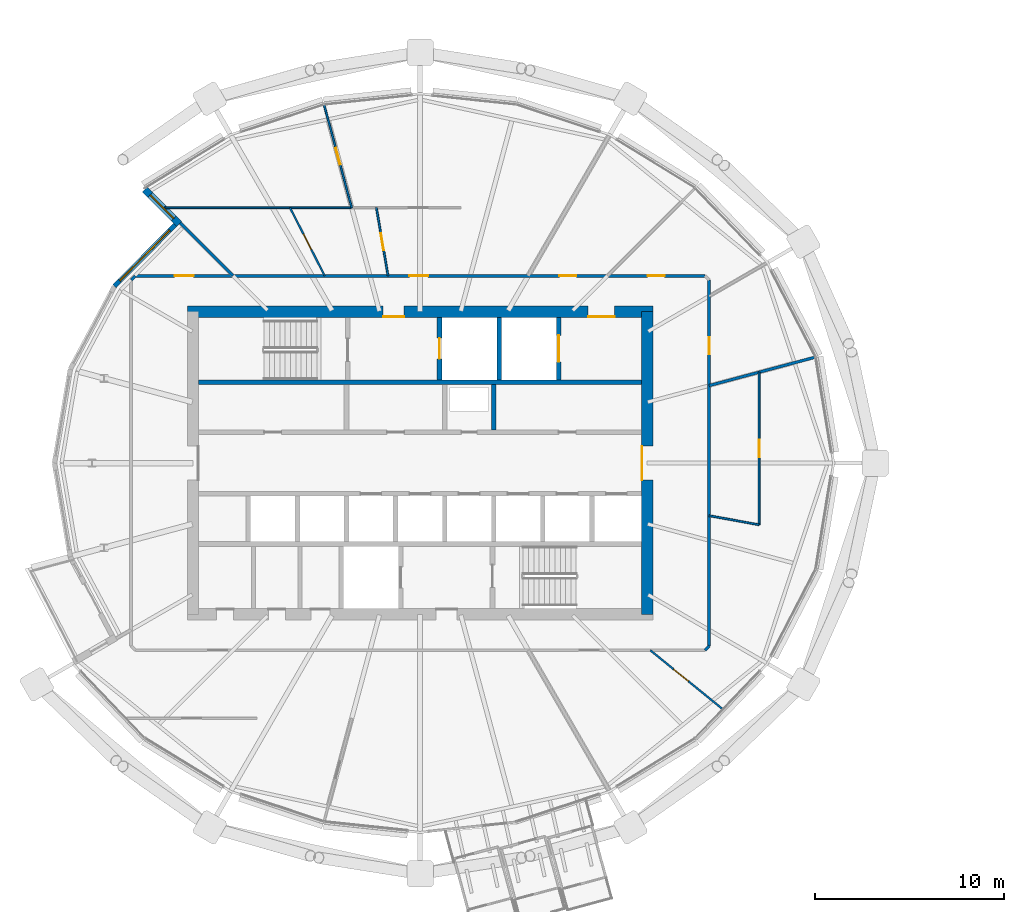
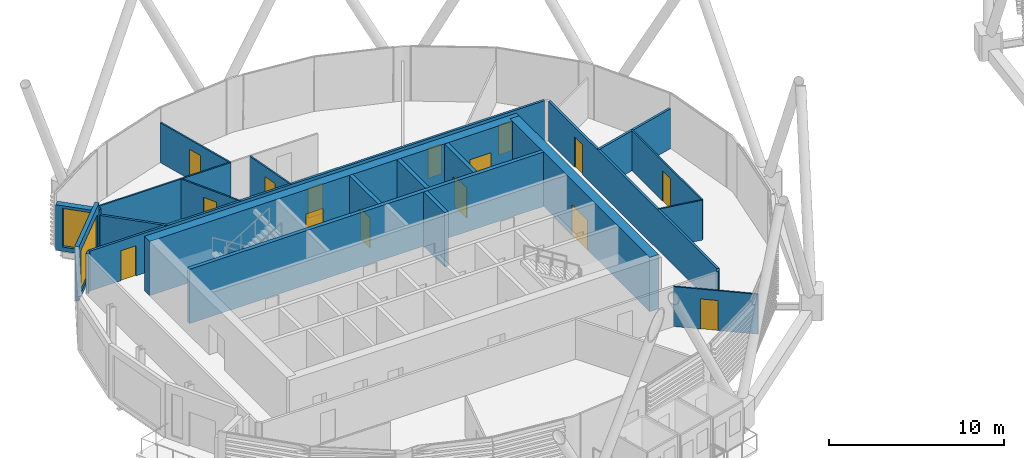
# One storey, part 24 of 35: 22 walls, 15 doors, 2 windows, 17 openings.
"""IFC4 building model written with IfcOpenShell, lengths in metres."""

from ifc_helpers import new_model, si_unit, direction, frame, frame_2d, origin, place, context, subcontext, project, spatial, rectangle, extrude, material, layer, layer_set, type_object, element, fill, save


model = new_model("IFC4")

# Units and contexts
model_context = context("Model", 3, precision=1e-05, world=origin(), true_north=direction((0.0, 1.0)))
body_context = subcontext(model_context, "Body", "Model", "MODEL_VIEW")
ifc_project = project(units=[si_unit("LENGTHUNIT", "METRE"), si_unit("AREAUNIT", "SQUARE_METRE"), si_unit("VOLUMEUNIT", "CUBIC_METRE"), si_unit("PLANEANGLEUNIT", "RADIAN"), si_unit("MASSUNIT", "GRAM", prefix="KILO")], contexts=[model_context])

# Site, building, storey
site_placement = place(None, origin())
site = spatial("IfcSite", under=ifc_project, at=site_placement, CompositionType="ELEMENT")
building_placement = place(site_placement, origin())
building = spatial("IfcBuilding", under=site, at=building_placement, Name="Rimbun Link Towers", CompositionType="ELEMENT")
storey_placement = place(building_placement, frame((0.0, 0.0, 181.699951171875)))
storey = spatial("IfcBuildingStorey", under=building, at=storey_placement, Name="L44", CompositionType="ELEMENT", Elevation=181.699951171875)

# Wall, opening, window
ifc_material_1 = material(Name="Dark enamelled glass spandrel on insulated aluminium backpan", Category="aluminium")
ifc_layer_1 = layer(ifc_material_1, 0.25)
ifc_layer_set_1 = layer_set([ifc_layer_1], Name="CS dark enamelled spandrel wall 250")
wall_type_1 = type_object("IfcWallType", Name="CS dark enamelled spandrel wall 250", PredefinedType="STANDARD", material=ifc_layer_set_1)
wall_1_placement = place(storey_placement, frame((-47.9072265625, 9.344482421875, 0.0), z_axis=(0.0, 0.0, 1.0), x_axis=(0.703167111014, 0.711024622631, 0.0)))
wall_1 = element("IfcWall", 1, at=wall_1_placement, inside=storey, type_object=wall_type_1, Name="Crease spandrel wall", PredefinedType="STANDARD", context=body_context, shape_type="SweptSolid", body=[
    extrude(rectangle(XDim=4.5673828125, YDim=0.25, at=frame_2d((2.28369140625, 0.0))), origin(), (0.0, 0.0, 1.0), 3.800048828125),
])
opening_1_placement = place(wall_1_placement, frame((0.40869140625, 0.0, 0.300048828125)))
opening_1 = element("IfcOpeningElement", 2, at=opening_1_placement, cuts=wall_1, Name="Opening WR38H295", PredefinedType="OPENING", context=body_context, shape_type="SweptSolid", body=[
    extrude(rectangle(XDim=3.75, YDim=2.949951171875, at=frame_2d((1.875, 1.47509765625))), frame((0.0, 0.135009765625, 0.0), z_axis=(0.0, -1.0, 0.0), x_axis=(1.0, 0.0, 0.0)), (0.0, 0.0, 1.0), 0.27001953125),
])
ifc_material_2 = material(Name="Aluminium framed fixed window, dark tinted low-e glass", Category="aluminium")
window_type_1 = type_object("IfcWindowType", Name="WR ribbon window 3750X2950", PartitioningType="SINGLE_PANEL", PredefinedType="WINDOW", material=ifc_material_2)
window_1_placement = place(opening_1_placement, origin())
window_1 = element("IfcWindow", 3, at=window_1_placement, inside=storey, type_object=window_type_1, Name="Crease ribbon window", OverallHeight=2.949951171875, OverallWidth=3.75, PartitioningType="SINGLE_PANEL", PredefinedType="WINDOW", context=body_context, shape_type="SweptSolid", body=[
    extrude(rectangle(XDim=3.75, YDim=2.949951171875, at=frame_2d((1.875, 1.47509765625))), frame((0.0, 0.030029296875, 0.0), z_axis=(0.0, -1.0, 0.0), x_axis=(1.0, 0.0, 0.0)), (0.0, 0.0, 1.0), 0.06005859375),
])
fill(opening_1, window_1)

ifc_material_3 = material(Name="Dark enamelled glass spandrel on insulated aluminium backpan", Category="aluminium")
ifc_layer_2 = layer(ifc_material_3, 0.3701171875)
ifc_layer_set_2 = layer_set([ifc_layer_2], Name="CS dark enamelled spandrel wall 370")
wall_type_2 = type_object("IfcWallType", Name="CS dark enamelled spandrel wall 370", PredefinedType="STANDARD", material=ifc_layer_set_2)
wall_2_placement = place(storey_placement, frame((-44.477294921875, 12.63525390625, 0.0), z_axis=(0.0, 0.0, 1.0), x_axis=(-0.707059465667, 0.70715409354, 0.0)))
wall_2 = element("IfcWall", 4, at=wall_2_placement, inside=storey, type_object=wall_type_2, Name="Crease spandrel wall", PredefinedType="STANDARD", context=body_context, shape_type="SweptSolid", body=[
    extrude(rectangle(XDim=2.580078125, YDim=0.3701171875, at=frame_2d((1.2900390625, 0.0))), origin(), (0.0, 0.0, 1.0), 3.186767578125),
])
opening_2_placement = place(wall_2_placement, frame((0.4150390625, 0.0, 0.300048828125)))
opening_2 = element("IfcOpeningElement", 5, at=opening_2_placement, cuts=wall_2, Name="Opening WR18H270", PredefinedType="OPENING", context=body_context, shape_type="SweptSolid", body=[
    extrude(rectangle(XDim=1.75, YDim=2.699951171875, at=frame_2d((0.875, 1.35009765625))), frame((0.0, 0.195068359375, 0.0), z_axis=(0.0, -1.0, 0.0), x_axis=(1.0, 0.0, 0.0)), (0.0, 0.0, 1.0), 0.39013671875),
])
ifc_material_4 = material(Name="Aluminium framed fixed window, dark tinted low-e glass", Category="aluminium")
window_type_2 = type_object("IfcWindowType", Name="WR ribbon window 1750X2700", PartitioningType="SINGLE_PANEL", PredefinedType="WINDOW", material=ifc_material_4)
window_2_placement = place(opening_2_placement, origin())
window_2 = element("IfcWindow", 6, at=window_2_placement, inside=storey, type_object=window_type_2, Name="Crease ribbon window", OverallHeight=2.699951171875, OverallWidth=1.75, PartitioningType="SINGLE_PANEL", PredefinedType="WINDOW", context=body_context, shape_type="SweptSolid", body=[
    extrude(rectangle(XDim=1.75, YDim=2.699951171875, at=frame_2d((0.875, 1.35009765625))), frame((0.0, 0.030029296875, 0.0), z_axis=(0.0, -1.0, 0.0), x_axis=(1.0, 0.0, 0.0)), (0.0, 0.0, 1.0), 0.06005859375),
])
fill(opening_2, window_2)

# Wall, openings, doors
ifc_material_5 = material(Name="Concrete C60/75", Category="concrete")
ifc_layer_3 = layer(ifc_material_5, 0.60009765625)
ifc_layer_set_3 = layer_set([ifc_layer_3], Name="Core shear wall 600")
wall_type_3 = type_object("IfcWallType", Name="Core shear wall 600", PredefinedType="SHEAR", material=ifc_layer_set_3)
wall_3_placement = place(storey_placement, frame((-44.050048828125, 8.0, 0.0), z_axis=(0.0, 0.0, 1.0), x_axis=(1.0, 0.0, 0.0)))
wall_3 = element("IfcWall", 7, at=wall_3_placement, inside=storey, type_object=wall_type_3, Name="L44 T1 core wall N", PredefinedType="SHEAR", context=body_context, shape_type="SweptSolid", body=[
    extrude(rectangle(XDim=24.60009765625, YDim=0.60009765625, at=frame_2d((12.300048828125, 0.0))), origin(), (0.0, 0.0, 1.0), 3.800048828125),
])
opening_3_placement = place(wall_3_placement, frame((10.35009765625, 0.0, 0.0)))
opening_3 = element("IfcOpeningElement", 8, at=opening_3_placement, cuts=wall_3, Name="Opening C1DCF01N", PredefinedType="OPENING", context=body_context, shape_type="SweptSolid", body=[
    extrude(rectangle(XDim=1.10009765625, YDim=2.10009765625, at=frame_2d((0.550048828125, 1.050048828125))), frame((0.0, 0.31005859375, 0.0), z_axis=(0.0, -1.0, 0.0), x_axis=(1.0, 0.0, 0.0)), (0.0, 0.0, 1.0), 0.6201171875),
])
opening_4_placement = place(wall_3_placement, frame((21.175048828125, 0.0, 0.0)))
opening_4 = element("IfcOpeningElement", 9, at=opening_4_placement, cuts=wall_3, Name="Opening C1DSL02N", PredefinedType="OPENING", context=body_context, shape_type="SweptSolid", body=[
    extrude(rectangle(XDim=1.39990234375, YDim=2.10009765625, at=frame_2d((0.699951171875, 1.050048828125))), frame((0.0, 0.31005859375, 0.0), z_axis=(0.0, -1.0, 0.0), x_axis=(1.0, 0.0, 0.0)), (0.0, 0.0, 1.0), 0.6201171875),
])
ifc_material_6 = material(Name="Steel fire door set", Category="steel")
door_type_1 = type_object("IfcDoorType", Name="Core fire door single", OperationType="SINGLE_SWING_LEFT", PredefinedType="DOOR", material=ifc_material_6)
door_1_placement = place(opening_3_placement, origin())
door_1 = element("IfcDoor", 10, at=door_1_placement, inside=storey, type_object=door_type_1, Name="L44 T1 firefighting lobby n door", OperationType="SINGLE_SWING_LEFT", OverallHeight=2.10009765625, OverallWidth=1.10009765625, PredefinedType="DOOR", context=body_context, shape_type="SweptSolid", body=[
    extrude(rectangle(XDim=1.10009765625, YDim=2.10009765625, at=frame_2d((0.550048828125, 1.050048828125))), frame((0.0, -0.25, 0.0), z_axis=(0.0, -1.0, 0.0), x_axis=(1.0, 0.0, 0.0)), (0.0, 0.0, 1.0), 0.050048828125),
])
fill(opening_3, door_1)
ifc_material_7 = material(Name="Steel fire door set", Category="steel")
door_type_2 = type_object("IfcDoorType", Name="Service lobby door double", OperationType="DOUBLE_DOOR_SINGLE_SWING", PredefinedType="DOOR", material=ifc_material_7)
door_2_placement = place(opening_4_placement, origin())
door_2 = element("IfcDoor", 11, at=door_2_placement, inside=storey, type_object=door_type_2, Name="L44 T1 service lobby door", OperationType="DOUBLE_DOOR_SINGLE_SWING", OverallHeight=2.10009765625, OverallWidth=1.39990234375, PredefinedType="DOOR", context=body_context, shape_type="SweptSolid", body=[
    extrude(rectangle(XDim=1.39990234375, YDim=2.10009765625, at=frame_2d((0.699951171875, 1.050048828125))), frame((0.0, -0.25, 0.0), z_axis=(0.0, -1.0, 0.0), x_axis=(1.0, 0.0, 0.0)), (0.0, 0.0, 1.0), 0.050048828125),
])
fill(opening_4, door_2)

# Wall, opening, door
wall_4_placement = place(storey_placement, frame((-19.75, -8.0, 0.0), z_axis=(0.0, 0.0, 1.0), x_axis=(0.0, 1.0, 0.0)))
wall_4 = element("IfcWall", 12, at=wall_4_placement, inside=storey, type_object=wall_type_3, Name="L44 T1 core wall E", PredefinedType="SHEAR", context=body_context, shape_type="SweptSolid", body=[
    extrude(rectangle(XDim=16.0, YDim=0.60009765625, at=frame_2d((8.0, 0.0))), origin(), (0.0, 0.0, 1.0), 3.800048828125),
])
opening_5_placement = place(wall_4_placement, frame((7.10009765625, 0.0, 0.0)))
opening_5 = element("IfcOpeningElement", 13, at=opening_5_placement, cuts=wall_4, Name="Opening C1DCL01E", PredefinedType="OPENING", context=body_context, shape_type="SweptSolid", body=[
    extrude(rectangle(XDim=1.800048828125, YDim=2.10009765625, at=frame_2d((0.89990234375, 1.050048828125))), frame((0.0, 0.31005859375, 0.0), z_axis=(0.0, -1.0, 0.0), x_axis=(1.0, 0.0, 0.0)), (0.0, 0.0, 1.0), 0.6201171875),
])
ifc_material_8 = material(Name="Steel fire door set", Category="steel")
door_type_3 = type_object("IfcDoorType", Name="Core lobby door double", OperationType="DOUBLE_DOOR_SINGLE_SWING", PredefinedType="DOOR", material=ifc_material_8)
door_3_placement = place(opening_5_placement, origin())
door_3 = element("IfcDoor", 14, at=door_3_placement, inside=storey, type_object=door_type_3, Name="L44 T1 lift lobby door", OperationType="DOUBLE_DOOR_SINGLE_SWING", OverallHeight=2.10009765625, OverallWidth=1.800048828125, PredefinedType="DOOR", context=body_context, shape_type="SweptSolid", body=[
    extrude(rectangle(XDim=1.800048828125, YDim=2.10009765625, at=frame_2d((0.89990234375, 1.050048828125))), frame((0.0, 0.2998046875, 0.0), z_axis=(0.0, -1.0, 0.0), x_axis=(1.0, 0.0, 0.0)), (0.0, 0.0, 1.0), 0.050048828125),
])
fill(opening_5, door_3)

# Wall, openings, doors
ifc_material_9 = material(Name="Plasterboard on steel stud, mineral wool", Category="steel")
ifc_layer_4 = layer(ifc_material_9, 0.14990234375)
ifc_layer_set_4 = layer_set([ifc_layer_4], Name="Corridor wall EI 30 150 mm")
wall_type_4 = type_object("IfcWallType", Name="Corridor wall EI 30 150 mm", PredefinedType="PARTITIONING", material=ifc_layer_set_4)
wall_5_placement = place(storey_placement, frame((-46.8037109375, 9.89501953125, 0.0), z_axis=(0.0, 0.0, 1.0), x_axis=(1.0, 0.0, 0.0)))
wall_5 = element("IfcWall", 15, at=wall_5_placement, inside=storey, type_object=wall_type_4, Name="Corridor wall EI 30 150 mm", PredefinedType="PARTITIONING", context=body_context, shape_type="SweptSolid", body=[
    extrude(rectangle(XDim=30.107421875, YDim=0.14990234375, at=frame_2d((15.0537109375, 0.0))), origin(), (0.0, 0.0, 1.0), 2.7890625),
])
opening_6_placement = place(wall_5_placement, frame((27.078125, 0.0, 0.0)))
opening_6 = element("IfcOpeningElement", 16, at=opening_6_placement, cuts=wall_5, Name="Opening D02", PredefinedType="OPENING", context=body_context, shape_type="SweptSolid", body=[
    extrude(rectangle(XDim=0.89990234375, YDim=2.10009765625, at=frame_2d((0.449951171875, 1.050048828125))), frame((0.0, 0.0849609375, 0.0), z_axis=(0.0, -1.0, 0.0), x_axis=(1.0, 0.0, 0.0)), (0.0, 0.0, 1.0), 0.169921875),
])
opening_7_placement = place(wall_5_placement, frame((22.40771484375, 0.0, 0.0)))
opening_7 = element("IfcOpeningElement", 17, at=opening_7_placement, cuts=wall_5, Name="Opening D02", PredefinedType="OPENING", context=body_context, shape_type="SweptSolid", body=[
    extrude(rectangle(XDim=0.89990234375, YDim=2.10009765625, at=frame_2d((0.449951171875, 1.050048828125))), frame((0.0, 0.0849609375, 0.0), z_axis=(0.0, -1.0, 0.0), x_axis=(1.0, 0.0, 0.0)), (0.0, 0.0, 1.0), 0.169921875),
])
opening_8_placement = place(wall_5_placement, frame((14.48291015625, 0.0, 0.0)))
opening_8 = element("IfcOpeningElement", 18, at=opening_8_placement, cuts=wall_5, Name="Opening D01", PredefinedType="OPENING", context=body_context, shape_type="SweptSolid", body=[
    extrude(rectangle(XDim=1.0, YDim=2.10009765625, at=frame_2d((0.5, 1.050048828125))), frame((0.0, 0.0849609375, 0.0), z_axis=(0.0, -1.0, 0.0), x_axis=(1.0, 0.0, 0.0)), (0.0, 0.0, 1.0), 0.169921875),
])
opening_9_placement = place(wall_5_placement, frame((2.079345703125, 0.0, 0.0)))
opening_9 = element("IfcOpeningElement", 19, at=opening_9_placement, cuts=wall_5, Name="Opening D01", PredefinedType="OPENING", context=body_context, shape_type="SweptSolid", body=[
    extrude(rectangle(XDim=1.0, YDim=2.10009765625, at=frame_2d((0.5, 1.050048828125))), frame((0.0, 0.0849609375, 0.0), z_axis=(0.0, -1.0, 0.0), x_axis=(1.0, 0.0, 0.0)), (0.0, 0.0, 1.0), 0.169921875),
])
ifc_material_10 = material(Name="Fire-resisting timber door leaf", Category="wood")
door_type_4 = type_object("IfcDoorType", Name="Fire door FD30S 1000", OperationType="NOTDEFINED", PredefinedType="DOOR", material=ifc_material_10)
door_4_placement = place(opening_8_placement, origin())
door_4 = element("IfcDoor", 20, at=door_4_placement, inside=storey, type_object=door_type_4, Name="Fire door FD30S 1000 to Tenant lobby", OperationType="SINGLE_SWING_RIGHT", OverallHeight=2.10009765625, OverallWidth=1.0, PredefinedType="DOOR", context=body_context, shape_type="SweptSolid", body=[
    extrude(rectangle(XDim=1.0, YDim=2.10009765625, at=frame_2d((0.5, 1.050048828125))), frame((0.0, 0.02490234375, 0.0), z_axis=(0.0, -1.0, 0.0), x_axis=(1.0, 0.0, 0.0)), (0.0, 0.0, 1.0), 0.050048828125),
])
fill(opening_8, door_4)
door_5_placement = place(opening_9_placement, origin())
door_5 = element("IfcDoor", 21, at=door_5_placement, inside=storey, type_object=door_type_4, Name="Fire door FD30S 1000 to Terrace office", OperationType="SINGLE_SWING_LEFT", OverallHeight=2.10009765625, OverallWidth=1.0, PredefinedType="DOOR", context=body_context, shape_type="SweptSolid", body=[
    extrude(rectangle(XDim=1.0, YDim=2.10009765625, at=frame_2d((0.5, 1.050048828125))), frame((0.0, 0.02490234375, 0.0), z_axis=(0.0, -1.0, 0.0), x_axis=(1.0, 0.0, 0.0)), (0.0, 0.0, 1.0), 0.050048828125),
])
fill(opening_9, door_5)
ifc_material_11 = material(Name="Fire-resisting timber door leaf", Category="wood")
door_type_5 = type_object("IfcDoorType", Name="Fire door FD30S 900", OperationType="NOTDEFINED", PredefinedType="DOOR", material=ifc_material_11)
door_6_placement = place(opening_6_placement, origin())
door_6 = element("IfcDoor", 22, at=door_6_placement, inside=storey, type_object=door_type_5, Name="Fire door FD30S 900 to Meeting room", OperationType="SINGLE_SWING_RIGHT", OverallHeight=2.10009765625, OverallWidth=0.89990234375, PredefinedType="DOOR", context=body_context, shape_type="SweptSolid", body=[
    extrude(rectangle(XDim=0.89990234375, YDim=2.10009765625, at=frame_2d((0.449951171875, 1.050048828125))), frame((0.0, 0.02490234375, 0.0), z_axis=(0.0, -1.0, 0.0), x_axis=(1.0, 0.0, 0.0)), (0.0, 0.0, 1.0), 0.050048828125),
])
fill(opening_6, door_6)
door_7_placement = place(opening_7_placement, origin())
door_7 = element("IfcDoor", 23, at=door_7_placement, inside=storey, type_object=door_type_5, Name="Fire door FD30S 900 to Meeting room", OperationType="SINGLE_SWING_LEFT", OverallHeight=2.10009765625, OverallWidth=0.89990234375, PredefinedType="DOOR", context=body_context, shape_type="SweptSolid", body=[
    extrude(rectangle(XDim=0.89990234375, YDim=2.10009765625, at=frame_2d((0.449951171875, 1.050048828125))), frame((0.0, 0.02490234375, 0.0), z_axis=(0.0, -1.0, 0.0), x_axis=(1.0, 0.0, 0.0)), (0.0, 0.0, 1.0), 0.050048828125),
])
fill(opening_7, door_7)

# Wall, opening, door
wall_6_placement = place(storey_placement, frame((-16.47509765625, 9.673583984375, 0.0), z_axis=(0.0, 0.0, 1.0), x_axis=(0.0, -1.0, 0.0)))
wall_6 = element("IfcWall", 24, at=wall_6_placement, inside=storey, type_object=wall_type_4, Name="Corridor wall EI 30 150 mm", PredefinedType="PARTITIONING", context=body_context, shape_type="SweptSolid", body=[
    extrude(rectangle(XDim=19.34716796875, YDim=0.14990234375, at=frame_2d((9.673583984375, 0.0))), origin(), (0.0, 0.0, 1.0), 2.7890625),
])
opening_10_placement = place(wall_6_placement, frame((3.01220703125, 0.0, 0.0)))
opening_10 = element("IfcOpeningElement", 25, at=opening_10_placement, cuts=wall_6, Name="Opening D02", PredefinedType="OPENING", context=body_context, shape_type="SweptSolid", body=[
    extrude(rectangle(XDim=0.89990234375, YDim=2.10009765625, at=frame_2d((0.449951171875, 1.050048828125))), frame((0.0, 0.0849609375, 0.0), z_axis=(0.0, -1.0, 0.0), x_axis=(1.0, 0.0, 0.0)), (0.0, 0.0, 1.0), 0.169921875),
])
door_8_placement = place(opening_10_placement, origin())
door_8 = element("IfcDoor", 26, at=door_8_placement, inside=storey, type_object=door_type_5, Name="Fire door FD30S 900 to Cellular office", OperationType="SINGLE_SWING_LEFT", OverallHeight=2.10009765625, OverallWidth=0.89990234375, PredefinedType="DOOR", context=body_context, shape_type="SweptSolid", body=[
    extrude(rectangle(XDim=0.89990234375, YDim=2.10009765625, at=frame_2d((0.449951171875, 1.050048828125))), frame((0.0, 0.02490234375, 0.0), z_axis=(0.0, -1.0, 0.0), x_axis=(1.0, 0.0, 0.0)), (0.0, 0.0, 1.0), 0.050048828125),
])
fill(opening_10, door_8)

# Walls
for number, where, z_axis, x_axis, name in (
    (27, (-16.6962890625, -9.89501953125, 0.0), (0.0, 0.0, 1.0), (0.706716653396, 0.707496693853, 0.0), "Corridor wall EI 30 150 mm"),
    (28, (-46.8037109375, 9.89501953125, 0.0), (0.0, 0.0, 1.0), (-0.706716653396, -0.707496693853, 0.0), "Corridor wall EI 30 150 mm"),
):
    element("IfcWall", number, at=place(storey_placement, frame(where, z_axis=z_axis, x_axis=x_axis)), inside=storey, type_object=wall_type_4, Name=name, PredefinedType="PARTITIONING", context=body_context, shape_type="SweptSolid", body=[
        extrude(rectangle(XDim=0.31298828125, YDim=0.14990234375, at=frame_2d((0.156494140625, 0.0))), origin(), (0.0, 0.0, 1.0), 2.7890625),
    ])

# Wall, opening, door
ifc_material_12 = material(Name="Plasterboard on steel stud", Category="steel")
ifc_layer_5 = layer(ifc_material_12, 0.10009765625)
ifc_layer_set_5 = layer_set([ifc_layer_5], Name="Plasterboard partition 100 mm")
wall_type_5 = type_object("IfcWallType", Name="Plasterboard partition 100 mm", PredefinedType="PARTITIONING", material=ifc_layer_set_5)
wall_7_placement = place(storey_placement, frame((-19.584228515625, -9.89501953125, 0.0), z_axis=(0.0, 0.0, 1.0), x_axis=(0.775776170633, -0.631008187805, 0.0)))
wall_7 = element("IfcWall", 29, at=wall_7_placement, inside=storey, type_object=wall_type_5, Name="Plasterboard partition 100 mm", PredefinedType="PARTITIONING", context=body_context, shape_type="SweptSolid", body=[
    extrude(rectangle(XDim=4.93115234375, YDim=0.10009765625, at=frame_2d((2.465576171875, 0.0))), origin(), (0.0, 0.0, 1.0), 2.7890625),
])
opening_11_placement = place(wall_7_placement, frame((1.592041015625, 0.0, 0.0)))
opening_11 = element("IfcOpeningElement", 30, at=opening_11_placement, cuts=wall_7, Name="Opening D03", PredefinedType="OPENING", context=body_context, shape_type="SweptSolid", body=[
    extrude(rectangle(XDim=1.0, YDim=2.10009765625, at=frame_2d((0.5, 1.050048828125))), frame((0.0, 0.06005859375, 0.0), z_axis=(0.0, -1.0, 0.0), x_axis=(1.0, 0.0, 0.0)), (0.0, 0.0, 1.0), 0.1201171875),
])
ifc_material_13 = material(Name="Timber door leaf", Category="wood")
door_type_6 = type_object("IfcDoorType", Name="Flush door 1000", OperationType="NOTDEFINED", PredefinedType="DOOR", material=ifc_material_13)
door_9_placement = place(opening_11_placement, origin())
door_9 = element("IfcDoor", 31, at=door_9_placement, inside=storey, type_object=door_type_6, Name="Flush door 1000 to Trading floor", OperationType="SINGLE_SWING_RIGHT", OverallHeight=2.10009765625, OverallWidth=1.0, PredefinedType="DOOR", context=body_context, shape_type="SweptSolid", body=[
    extrude(rectangle(XDim=1.0, YDim=2.10009765625, at=frame_2d((0.5, 1.050048828125))), frame((0.0, 0.02490234375, 0.0), z_axis=(0.0, -1.0, 0.0), x_axis=(1.0, 0.0, 0.0)), (0.0, 0.0, 1.0), 0.050048828125),
])
fill(opening_11, door_9)

wall_8_placement = place(storey_placement, frame((-13.8349609375, -3.26220703125, 0.0), z_axis=(0.0, 0.0, 1.0), x_axis=(0.0, 1.0, 0.0)))
wall_8 = element("IfcWall", 32, at=wall_8_placement, inside=storey, type_object=wall_type_5, Name="Plasterboard partition 100 mm", PredefinedType="PARTITIONING", context=body_context, shape_type="SweptSolid", body=[
    extrude(rectangle(XDim=8.0625, YDim=0.10009765625, at=frame_2d((4.03125, 0.0))), origin(), (0.0, 0.0, 1.0), 2.7890625),
])
opening_12_placement = place(wall_8_placement, frame((3.581298828125, 0.0, 0.0)))
opening_12 = element("IfcOpeningElement", 33, at=opening_12_placement, cuts=wall_8, Name="Opening D04", PredefinedType="OPENING", context=body_context, shape_type="SweptSolid", body=[
    extrude(rectangle(XDim=0.89990234375, YDim=2.10009765625, at=frame_2d((0.449951171875, 1.050048828125))), frame((0.0, 0.06005859375, 0.0), z_axis=(0.0, -1.0, 0.0), x_axis=(1.0, 0.0, 0.0)), (0.0, 0.0, 1.0), 0.1201171875),
])
ifc_material_14 = material(Name="Timber door leaf", Category="wood")
door_type_7 = type_object("IfcDoorType", Name="Flush door 900", OperationType="NOTDEFINED", PredefinedType="DOOR", material=ifc_material_14)
door_10_placement = place(opening_12_placement, origin())
door_10 = element("IfcDoor", 34, at=door_10_placement, inside=storey, type_object=door_type_7, Name="Flush door 900 to Communications room", OperationType="SINGLE_SWING_RIGHT", OverallHeight=2.10009765625, OverallWidth=0.89990234375, PredefinedType="DOOR", context=body_context, shape_type="SweptSolid", body=[
    extrude(rectangle(XDim=0.89990234375, YDim=2.10009765625, at=frame_2d((0.449951171875, 1.050048828125))), frame((0.0, 0.02490234375, 0.0), z_axis=(0.0, -1.0, 0.0), x_axis=(1.0, 0.0, 0.0)), (0.0, 0.0, 1.0), 0.050048828125),
])
fill(opening_12, door_10)

# Wall
wall_9_placement = place(storey_placement, frame((-16.47509765625, -2.781494140625, 0.0), z_axis=(0.0, 0.0, 1.0), x_axis=(0.983824754229, -0.179133617632, 0.0)))
element("IfcWall", 35, at=wall_9_placement, inside=storey, type_object=wall_type_5, Name="Plasterboard partition 100 mm", PredefinedType="PARTITIONING", context=body_context, shape_type="SweptSolid", body=[
    extrude(rectangle(XDim=2.68359375, YDim=0.10009765625, at=frame_2d((1.341796875, 0.0))), origin(), (0.0, 0.0, 1.0), 2.7890625),
])

# Wall, opening, door
wall_10_placement = place(storey_placement, frame((-33.4443359375, 9.89501953125, 0.0), z_axis=(0.0, 0.0, 1.0), x_axis=(-0.168776431404, 0.985654359399, 0.0)))
wall_10 = element("IfcWall", 36, at=wall_10_placement, inside=storey, type_object=wall_type_5, Name="Plasterboard partition 100 mm", PredefinedType="PARTITIONING", context=body_context, shape_type="SweptSolid", body=[
    extrude(rectangle(XDim=3.652587890625, YDim=0.10009765625, at=frame_2d((1.826171875, 0.0))), origin(), (0.0, 0.0, 1.0), 2.7890625),
])
opening_13_placement = place(wall_10_placement, frame((1.376220703125, 0.0, 0.0)))
opening_13 = element("IfcOpeningElement", 37, at=opening_13_placement, cuts=wall_10, Name="Opening D04", PredefinedType="OPENING", context=body_context, shape_type="SweptSolid", body=[
    extrude(rectangle(XDim=0.89990234375, YDim=2.10009765625, at=frame_2d((0.449951171875, 1.050048828125))), frame((0.0, 0.06005859375, 0.0), z_axis=(0.0, -1.0, 0.0), x_axis=(1.0, 0.0, 0.0)), (0.0, 0.0, 1.0), 0.1201171875),
])
door_11_placement = place(opening_13_placement, origin())
door_11 = element("IfcDoor", 38, at=door_11_placement, inside=storey, type_object=door_type_7, Name="Flush door 900 to Huddle room", OperationType="SINGLE_SWING_LEFT", OverallHeight=2.10009765625, OverallWidth=0.89990234375, PredefinedType="DOOR", context=body_context, shape_type="SweptSolid", body=[
    extrude(rectangle(XDim=0.89990234375, YDim=2.10009765625, at=frame_2d((0.449951171875, 1.050048828125))), frame((0.0, 0.02490234375, 0.0), z_axis=(0.0, -1.0, 0.0), x_axis=(1.0, 0.0, 0.0)), (0.0, 0.0, 1.0), 0.050048828125),
])
fill(opening_13, door_11)

wall_11_placement = place(storey_placement, frame((-36.79248046875, 9.89501953125, 0.0), z_axis=(0.0, 0.0, 1.0), x_axis=(-0.454064259365, 0.890968937936, 0.0)))
wall_11 = element("IfcWall", 39, at=wall_11_placement, inside=storey, type_object=wall_type_5, Name="Plasterboard partition 100 mm", PredefinedType="PARTITIONING", context=body_context, shape_type="SweptSolid", body=[
    extrude(rectangle(XDim=4.040771484375, YDim=0.10009765625, at=frame_2d((2.0205078125, 0.0))), origin(), (0.0, 0.0, 1.0), 2.7890625),
])
opening_14_placement = place(wall_11_placement, frame((1.5703125, 0.0, 0.0)))
opening_14 = element("IfcOpeningElement", 40, at=opening_14_placement, cuts=wall_11, Name="Opening D04", PredefinedType="OPENING", context=body_context, shape_type="SweptSolid", body=[
    extrude(rectangle(XDim=0.89990234375, YDim=2.10009765625, at=frame_2d((0.449951171875, 1.050048828125))), frame((0.0, 0.06005859375, 0.0), z_axis=(0.0, -1.0, 0.0), x_axis=(1.0, 0.0, 0.0)), (0.0, 0.0, 1.0), 0.1201171875),
])
door_12_placement = place(opening_14_placement, origin())
door_12 = element("IfcDoor", 41, at=door_12_placement, inside=storey, type_object=door_type_7, Name="Flush door 900 to Huddle room", OperationType="SINGLE_SWING_LEFT", OverallHeight=2.10009765625, OverallWidth=0.89990234375, PredefinedType="DOOR", context=body_context, shape_type="SweptSolid", body=[
    extrude(rectangle(XDim=0.89990234375, YDim=2.10009765625, at=frame_2d((0.449951171875, 1.050048828125))), frame((0.0, 0.02490234375, 0.0), z_axis=(0.0, -1.0, 0.0), x_axis=(1.0, 0.0, 0.0)), (0.0, 0.0, 1.0), 0.050048828125),
])
fill(opening_14, door_12)

# Wall
wall_12_placement = place(storey_placement, frame((-35.365966796875, 13.4951171875, 0.0), z_axis=(0.0, 0.0, 1.0), x_axis=(-1.0, 0.0, 0.0)))
element("IfcWall", 42, at=wall_12_placement, inside=storey, type_object=wall_type_5, Name="Plasterboard partition 100 mm", PredefinedType="PARTITIONING", context=body_context, shape_type="SweptSolid", body=[
    extrude(rectangle(XDim=9.879150390625, YDim=0.10009765625, at=frame_2d((4.939453125, 0.0))), origin(), (0.0, 0.0, 1.0), 2.7890625),
])

# Wall, opening, door
wall_13_placement = place(storey_placement, frame((-35.365966796875, 13.4951171875, 0.0), z_axis=(0.0, 0.0, 1.0), x_axis=(-0.258823547375, 0.965924619897, 0.0)))
wall_13 = element("IfcWall", 43, at=wall_13_placement, inside=storey, type_object=wall_type_5, Name="Plasterboard partition 100 mm", PredefinedType="PARTITIONING", context=body_context, shape_type="SweptSolid", body=[
    extrude(rectangle(XDim=5.62744140625, YDim=0.10009765625, at=frame_2d((2.813720703125, 0.0))), origin(), (0.0, 0.0, 1.0), 2.7890625),
])
opening_15_placement = place(wall_13_placement, frame((2.36376953125, 0.0, 0.0)))
opening_15 = element("IfcOpeningElement", 44, at=opening_15_placement, cuts=wall_13, Name="Opening D04", PredefinedType="OPENING", context=body_context, shape_type="SweptSolid", body=[
    extrude(rectangle(XDim=0.89990234375, YDim=2.10009765625, at=frame_2d((0.449951171875, 1.050048828125))), frame((0.0, 0.06005859375, 0.0), z_axis=(0.0, -1.0, 0.0), x_axis=(1.0, 0.0, 0.0)), (0.0, 0.0, 1.0), 0.1201171875),
])
door_13_placement = place(opening_15_placement, origin())
door_13 = element("IfcDoor", 45, at=door_13_placement, inside=storey, type_object=door_type_7, Name="Flush door 900 to Project room", OperationType="SINGLE_SWING_LEFT", OverallHeight=2.10009765625, OverallWidth=0.89990234375, PredefinedType="DOOR", context=body_context, shape_type="SweptSolid", body=[
    extrude(rectangle(XDim=0.89990234375, YDim=2.10009765625, at=frame_2d((0.449951171875, 1.050048828125))), frame((0.0, 0.02490234375, 0.0), z_axis=(0.0, -1.0, 0.0), x_axis=(1.0, 0.0, 0.0)), (0.0, 0.0, 1.0), 0.050048828125),
])
fill(opening_15, door_13)

# Walls
ifc_material_15 = material(Name="Concrete C60/75", Category="concrete")
ifc_layer_6 = layer(ifc_material_15, 0.25)
ifc_layer_set_6 = layer_set([ifc_layer_6], Name="Shaft wall 250")
wall_type_6 = type_object("IfcWallType", Name="Shaft wall 250", PredefinedType="SHEAR", material=ifc_layer_set_6)
wall_14_placement = place(storey_placement, frame((-43.449951171875, 4.27490234375, 0.0), z_axis=(0.0, 0.0, 1.0), x_axis=(1.0, 0.0, 0.0)))
element("IfcWall", 46, at=wall_14_placement, inside=storey, type_object=wall_type_6, Name="L44 T1 core wall BN", PredefinedType="SHEAR", context=body_context, shape_type="SweptSolid", body=[
    extrude(rectangle(XDim=23.39990234375, YDim=0.25, at=frame_2d((11.699951171875, 0.0))), origin(), (0.0, 0.0, 1.0), 3.800048828125),
])
wall_15_placement = place(storey_placement, frame((-27.8583984375, 1.75, 0.0), z_axis=(0.0, 0.0, 1.0), x_axis=(0.0, 1.0, 0.0)))
element("IfcWall", 47, at=wall_15_placement, inside=storey, type_object=wall_type_6, Name="L44 T1 core wall DN5", PredefinedType="SHEAR", context=body_context, shape_type="SweptSolid", body=[
    extrude(rectangle(XDim=2.39990234375, YDim=0.25, at=frame_2d((1.199951171875, 0.0))), origin(), (0.0, 0.0, 1.0), 3.800048828125),
])

# Wall, opening, door
wall_16_placement = place(storey_placement, frame((-30.72509765625, 4.39990234375, 0.0), z_axis=(0.0, 0.0, 1.0), x_axis=(0.0, 1.0, 0.0)))
wall_16 = element("IfcWall", 48, at=wall_16_placement, inside=storey, type_object=wall_type_6, Name="L44 T1 core wall A2", PredefinedType="SHEAR", context=body_context, shape_type="SweptSolid", body=[
    extrude(rectangle(XDim=3.300048828125, YDim=0.25, at=frame_2d((1.64990234375, 0.0))), origin(), (0.0, 0.0, 1.0), 3.800048828125),
])
opening_16_placement = place(wall_16_placement, frame((1.10009765625, 0.0, 0.0)))
opening_16 = element("IfcOpeningElement", 49, at=opening_16_placement, cuts=wall_16, Name="Opening LD-T1-FF1", PredefinedType="OPENING", context=body_context, shape_type="SweptSolid", body=[
    extrude(rectangle(XDim=1.10009765625, YDim=2.10009765625, at=frame_2d((0.550048828125, 1.050048828125))), frame((0.0, 0.135009765625, 0.0), z_axis=(0.0, -1.0, 0.0), x_axis=(1.0, 0.0, 0.0)), (0.0, 0.0, 1.0), 0.27001953125),
])
ifc_material_16 = material(Name="Stainless steel grade 316", Category="steel")
door_type_8 = type_object("IfcDoorType", Name="Lift landing door", OperationType="DOUBLE_DOOR_SLIDING", PredefinedType="DOOR", material=ifc_material_16)
door_14_placement = place(opening_16_placement, origin())
door_14 = element("IfcDoor", 50, at=door_14_placement, inside=storey, type_object=door_type_8, Name="L44 T1 lift FF1 landing door", OperationType="DOUBLE_DOOR_SLIDING", OverallHeight=2.10009765625, OverallWidth=1.10009765625, PredefinedType="DOOR", context=body_context, shape_type="SweptSolid", body=[
    extrude(rectangle(XDim=1.10009765625, YDim=2.10009765625, at=frame_2d((0.550048828125, 1.050048828125))), frame((0.0, 0.02490234375, 0.0), z_axis=(0.0, -1.0, 0.0), x_axis=(1.0, 0.0, 0.0)), (0.0, 0.0, 1.0), 0.050048828125),
])
fill(opening_16, door_14)

# Wall
wall_17_placement = place(storey_placement, frame((-27.574951171875, 4.39990234375, 0.0), z_axis=(0.0, 0.0, 1.0), x_axis=(0.0, 1.0, 0.0)))
element("IfcWall", 51, at=wall_17_placement, inside=storey, type_object=wall_type_6, Name="L44 T1 core wall A3", PredefinedType="SHEAR", context=body_context, shape_type="SweptSolid", body=[
    extrude(rectangle(XDim=3.300048828125, YDim=0.25, at=frame_2d((1.64990234375, 0.0))), origin(), (0.0, 0.0, 1.0), 3.800048828125),
])

# Wall, opening, door
wall_18_placement = place(storey_placement, frame((-24.425048828125, 4.39990234375, 0.0), z_axis=(0.0, 0.0, 1.0), x_axis=(0.0, 1.0, 0.0)))
wall_18 = element("IfcWall", 52, at=wall_18_placement, inside=storey, type_object=wall_type_6, Name="L44 T1 core wall A4", PredefinedType="SHEAR", context=body_context, shape_type="SweptSolid", body=[
    extrude(rectangle(XDim=3.300048828125, YDim=0.25, at=frame_2d((1.64990234375, 0.0))), origin(), (0.0, 0.0, 1.0), 3.800048828125),
])
opening_17_placement = place(wall_18_placement, frame((0.949951171875, 0.0, 0.0)))
opening_17 = element("IfcOpeningElement", 53, at=opening_17_placement, cuts=wall_18, Name="Opening LD-T1-GL1", PredefinedType="OPENING", context=body_context, shape_type="SweptSolid", body=[
    extrude(rectangle(XDim=1.39990234375, YDim=2.10009765625, at=frame_2d((0.699951171875, 1.050048828125))), frame((0.0, 0.135009765625, 0.0), z_axis=(0.0, -1.0, 0.0), x_axis=(1.0, 0.0, 0.0)), (0.0, 0.0, 1.0), 0.27001953125),
])
ifc_material_17 = material(Name="Stainless steel grade 316", Category="steel")
door_type_9 = type_object("IfcDoorType", Name="Goods lift landing door", OperationType="DOUBLE_DOOR_SLIDING", PredefinedType="DOOR", material=ifc_material_17)
door_15_placement = place(opening_17_placement, origin())
door_15 = element("IfcDoor", 54, at=door_15_placement, inside=storey, type_object=door_type_9, Name="L44 T1 lift GL1 landing door", OperationType="DOUBLE_DOOR_SLIDING", OverallHeight=2.10009765625, OverallWidth=1.39990234375, PredefinedType="DOOR", context=body_context, shape_type="SweptSolid", body=[
    extrude(rectangle(XDim=1.39990234375, YDim=2.10009765625, at=frame_2d((0.699951171875, 1.050048828125))), frame((0.0, 0.02490234375, 0.0), z_axis=(0.0, -1.0, 0.0), x_axis=(1.0, 0.0, 0.0)), (0.0, 0.0, 1.0), 0.050048828125),
])
fill(opening_17, door_15)

# Walls
ifc_material_18 = material(Name="Plasterboard on steel stud, mineral wool", Category="steel")
ifc_layer_7 = layer(ifc_material_18, 0.14990234375)
ifc_layer_set_7 = layer_set([ifc_layer_7], Name="Tenancy separation wall EI 60 150 mm")
wall_type_7 = type_object("IfcWallType", Name="Tenancy separation wall EI 60 150 mm", PredefinedType="PARTITIONING", material=ifc_layer_set_7)
wall_19_placement = place(storey_placement, frame((-16.47509765625, 4.093017578125, 0.0), z_axis=(0.0, 0.0, 1.0), x_axis=(0.965935472204, 0.258783043374, 0.0)))
element("IfcWall", 55, at=wall_19_placement, inside=storey, type_object=wall_type_7, Name="Tenancy separation wall EI 60 150 mm", PredefinedType="PARTITIONING", context=body_context, shape_type="SweptSolid", body=[
    extrude(rectangle(XDim=5.803955078125, YDim=0.14990234375, at=frame_2d((2.90185546875, 0.0))), origin(), (0.0, 0.0, 1.0), 2.7890625),
])
wall_20_placement = place(storey_placement, frame((-41.64501953125, 9.89501953125, 0.0), z_axis=(0.0, 0.0, 1.0), x_axis=(-0.707106781187, 0.707106781187, 0.0)))
element("IfcWall", 56, at=wall_20_placement, inside=storey, type_object=wall_type_7, Name="Tenancy separation wall EI 60 150 mm", PredefinedType="PARTITIONING", context=body_context, shape_type="SweptSolid", body=[
    extrude(rectangle(XDim=3.9404296875, YDim=0.14990234375, at=frame_2d((1.97021484375, 0.0))), origin(), (0.0, 0.0, 1.0), 2.7890625),
])

save(model, "model.ifc")
